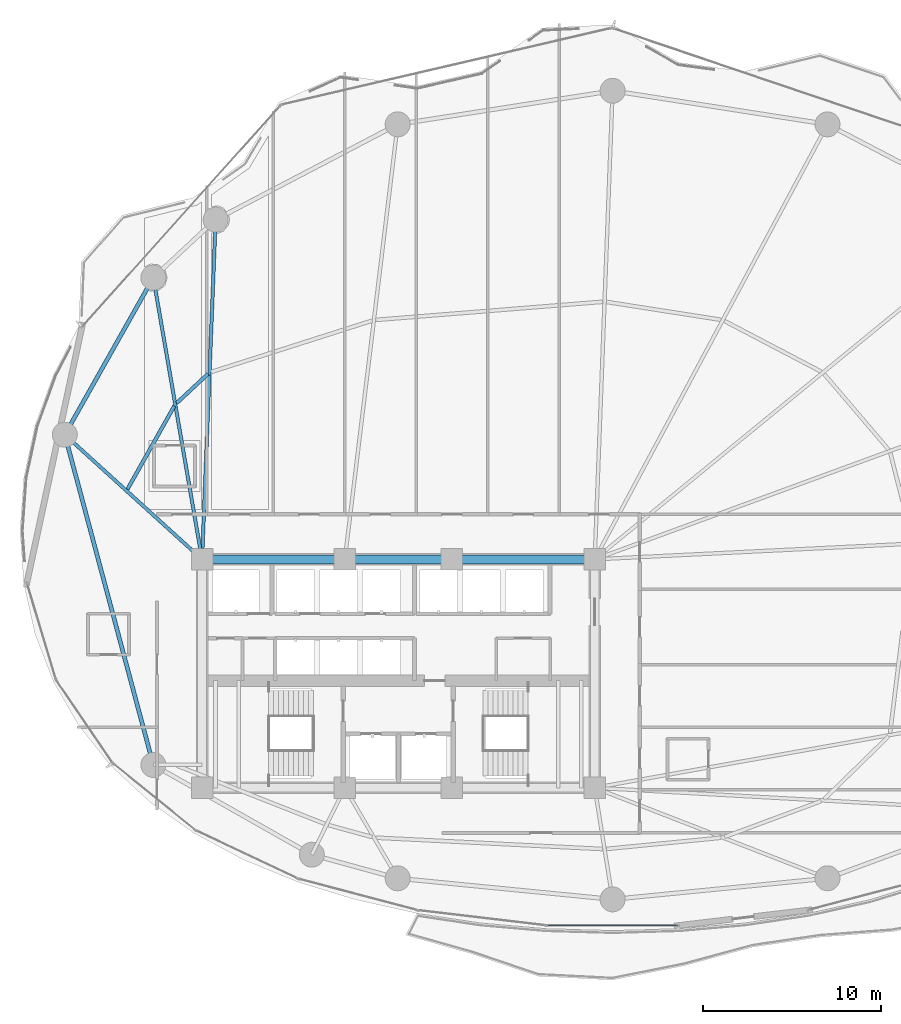
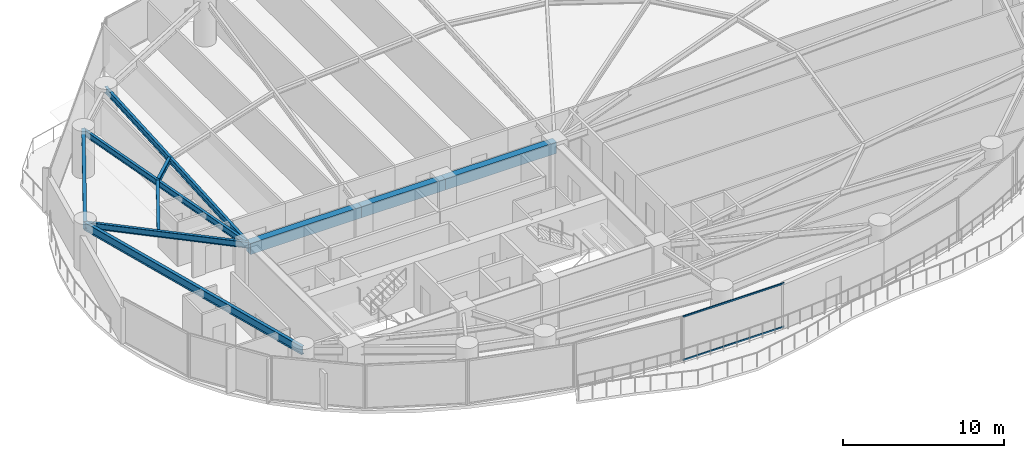
# One storey, part 9 of 31: 10 beams, 2 members, 1 element without a shape of its own.
"""IFC4 building model written with IfcOpenShell, lengths in metres."""

from ifc_helpers import new_model, si_unit, direction, frame, origin, origin_2d, place, context, subcontext, project, spatial, rectangle, hollow_rectangle, i_section, extrude, material, layer, layer_set, material_profile, profile_set, type_object, element, aggregate, save


model = new_model("IFC4")

# Units and contexts
model_context = context("Model", 3, precision=1e-05, world=origin(), true_north=direction((0.0, 1.0)))
body_context = subcontext(model_context, "Body", "Model", "MODEL_VIEW")
ifc_project = project(units=[si_unit("LENGTHUNIT", "METRE"), si_unit("AREAUNIT", "SQUARE_METRE"), si_unit("VOLUMEUNIT", "CUBIC_METRE"), si_unit("PLANEANGLEUNIT", "RADIAN"), si_unit("MASSUNIT", "GRAM", prefix="KILO")], contexts=[model_context])

# Site, building, storey
site_placement = place(None, origin())
site = spatial("IfcSite", under=ifc_project, at=site_placement, CompositionType="ELEMENT")
building_placement = place(site_placement, origin())
building = spatial("IfcBuilding", under=site, at=building_placement, Name="Kazevale Care Tower and Concert Hall", CompositionType="ELEMENT")
storey_placement = place(building_placement, frame((0.0, 0.0, 81.60009765625)))
storey = spatial("IfcBuildingStorey", under=building, at=storey_placement, Name="L21", CompositionType="ELEMENT", Elevation=81.60009765625)

# Curtain wall, members
ifc_material_1 = material(Name="Aluminium 6063-T6 and Low-E Glass", Category="aluminium")
ifc_layer = layer(ifc_material_1, 0.179931640625)
ifc_layer_set = layer_set([ifc_layer], Name="Aluminium 6063-T6 and Low-E Glass")
curtain_wall_type = type_object("IfcCurtainWallType", Name="Sheltered Concave Balcony Curtain Wall CW-5", PredefinedType="NOTDEFINED", material=ifc_layer_set)
curtain_wall_placement = place(storey_placement, origin())
curtain_wall = element("IfcCurtainWall", 1, at=curtain_wall_placement, inside=storey, type_object=curtain_wall_type, Name="cw:L21:f06", PredefinedType="NOTDEFINED")
ifc_material_2 = material(Name="Aluminium 6063-T6", Category="aluminium")
ifc_material_profile_1 = material_profile(ifc_material_2, hollow_rectangle(XDim=0.074951171875, YDim=0.1201171875, WallThickness=0.00390625, at=origin_2d()), Name="ALU75x120x4")
ifc_profile_set_1 = profile_set([ifc_material_profile_1], Name="Aluminium 6063-T6")
member_type = type_object("IfcMemberType", Name="CW-5 Transom ALU75x120x4", PredefinedType="USERDEFINED", material=ifc_profile_set_1)
member_1_placement = place(storey_placement, frame((48.632080078125, 15.885986328125, 0.037353515625), z_axis=(-1.0, 0.0, 0.0), x_axis=(0.0, -1.0, 0.0)))
member_1 = element("IfcMember", 2, at=member_1_placement, type_object=member_type, Name="CW-5 transom 1.1", ObjectType="TRANSOM", PredefinedType="USERDEFINED", context=body_context, shape_type="SweptSolid", body=[
    extrude(hollow_rectangle(XDim=0.074951171875, YDim=0.1201171875, WallThickness=0.00390625, at=origin_2d()), origin(), (0.0, 0.0, 1.0), 7.26416015625),
])
member_2_placement = place(storey_placement, frame((48.632080078125, 15.885986328125, 3.322509765625), z_axis=(-1.0, 0.0, 0.0), x_axis=(0.0, -1.0, 0.0)))
member_2 = element("IfcMember", 3, at=member_2_placement, type_object=member_type, Name="CW-5 transom 1.2", ObjectType="TRANSOM", PredefinedType="USERDEFINED", context=body_context, shape_type="SweptSolid", body=[
    extrude(hollow_rectangle(XDim=0.074951171875, YDim=0.1201171875, WallThickness=0.00390625, at=origin_2d()), origin(), (0.0, 0.0, 1.0), 7.26416015625),
])
aggregate(curtain_wall, [member_1, member_2])

# Beams
ifc_material_3 = material(Name="Concrete C60", Category="concrete")
ifc_material_profile_2 = material_profile(ifc_material_3, rectangle(XDim=0.5, YDim=0.85009765625, at=origin_2d()), Name="RC-B500x850")
ifc_profile_set_2 = profile_set([ifc_material_profile_2], Name="Concrete C60")
beam_type_1 = type_object("IfcBeamType", Name="Core Coupling Beam RC500x850", PredefinedType="LINTEL", material=ifc_profile_set_2)
beam_1_placement = place(storey_placement, frame((44.0, 36.39990234375, 2.934814453125), z_axis=(-1.0, 0.0, 0.0), x_axis=(0.0, -1.0, 0.0)))
element("IfcBeam", 4, at=beam_1_placement, inside=storey, type_object=beam_type_1, Name="beam:L21:coretie:5", PredefinedType="LINTEL", context=body_context, shape_type="SweptSolid", body=[
    extrude(rectangle(XDim=0.5, YDim=0.85009765625, at=origin_2d()), origin(), (0.0, 0.0, 1.0), 8.0),
])
beam_2_placement = place(storey_placement, frame((36.0, 36.39990234375, 2.934814453125), z_axis=(-1.0, 0.0, 0.0), x_axis=(0.0, -1.0, 0.0)))
element("IfcBeam", 5, at=beam_2_placement, inside=storey, type_object=beam_type_1, Name="beam:L21:coretie:6", PredefinedType="LINTEL", context=body_context, shape_type="SweptSolid", body=[
    extrude(rectangle(XDim=0.5, YDim=0.85009765625, at=origin_2d()), origin(), (0.0, 0.0, 1.0), 6.0),
])
beam_3_placement = place(storey_placement, frame((30.0, 36.39990234375, 2.934814453125), z_axis=(-1.0, 0.0, 0.0), x_axis=(0.0, -1.0, 0.0)))
element("IfcBeam", 6, at=beam_3_placement, inside=storey, type_object=beam_type_1, Name="beam:L21:coretie:7", PredefinedType="LINTEL", context=body_context, shape_type="SweptSolid", body=[
    extrude(rectangle(XDim=0.5, YDim=0.85009765625, at=origin_2d()), origin(), (0.0, 0.0, 1.0), 8.0),
])
ifc_material_4 = material(Name="Steel ASTM A572 Gr 50", Category="steel")
ifc_material_profile_3 = material_profile(ifc_material_4, i_section(OverallWidth=0.19091796875, OverallDepth=0.4599609375, WebThickness=0.010009765625, FlangeThickness=0.01611328125, at=origin_2d()), Name="W460x82")
ifc_profile_set_3 = profile_set([ifc_material_profile_3], Name="Steel ASTM A572 Gr 50")
beam_type_2 = type_object("IfcBeamType", Name="Radial Floor Beam W460x82", PredefinedType="BEAM", material=ifc_profile_set_3)
beam_4_placement = place(storey_placement, frame((22.0, 36.39990234375, 3.1298828125), z_axis=(0.039905581428, 0.999203455044, 0.0), x_axis=(-0.999203455044, 0.039905581428, 0.0)))
element("IfcBeam", 7, at=beam_4_placement, inside=storey, type_object=beam_type_2, Name="beam:L21:rad:07", PredefinedType="BEAM", context=body_context, shape_type="SweptSolid", body=[
    extrude(i_section(OverallWidth=0.19091796875, OverallDepth=0.4599609375, WebThickness=0.010009765625, FlangeThickness=0.01611328125, at=origin_2d()), origin(), (0.0, 0.0, 1.0), 19.045166015625),
])
beam_5_placement = place(storey_placement, frame((22.0, 36.39990234375, 3.1298828125), z_axis=(-0.170469986865, 0.985362868987, 0.0), x_axis=(-0.985362868987, -0.170469986865, 0.0)))
element("IfcBeam", 8, at=beam_5_placement, inside=storey, type_object=beam_type_2, Name="beam:L21:rad:08", PredefinedType="BEAM", context=body_context, shape_type="SweptSolid", body=[
    extrude(i_section(OverallWidth=0.19091796875, OverallDepth=0.4599609375, WebThickness=0.010009765625, FlangeThickness=0.01611328125, at=origin_2d()), origin(), (0.0, 0.0, 1.0), 16.014404296875),
])
beam_6_placement = place(storey_placement, frame((22.0, 36.39990234375, 3.1298828125), z_axis=(-0.740461073653, 0.672099247436, 0.0), x_axis=(-0.672099247436, -0.740461073653, 0.0)))
element("IfcBeam", 9, at=beam_6_placement, inside=storey, type_object=beam_type_2, Name="beam:L21:rad:09", PredefinedType="BEAM", context=body_context, shape_type="SweptSolid", body=[
    extrude(i_section(OverallWidth=0.19091796875, OverallDepth=0.4599609375, WebThickness=0.010009765625, FlangeThickness=0.01611328125, at=origin_2d()), origin(), (0.0, 0.0, 1.0), 10.38525390625),
])
ifc_material_profile_4 = material_profile(ifc_material_4, i_section(OverallWidth=0.22900390625, OverallDepth=0.612060546875, WebThickness=0.011962890625, FlangeThickness=0.01953125, at=origin_2d()), Name="W610x125")
ifc_profile_set_4 = profile_set([ifc_material_profile_4], Name="Steel ASTM A572 Gr 50")
beam_type_3 = type_object("IfcBeamType", Name="Ring Spandrel Beam W610x125", PredefinedType="SPANDREL", material=ifc_profile_set_4)
beam_7_placement = place(storey_placement, frame((19.27001953125, 52.179931640625, 3.053955078125), z_axis=(-0.491008061092, -0.87115502865, 0.0), x_axis=(0.87115502865, -0.491008061092, 0.0)))
element("IfcBeam", 10, at=beam_7_placement, inside=storey, type_object=beam_type_3, Name="beam:L21:ring:08", PredefinedType="SPANDREL", context=body_context, shape_type="SweptSolid", body=[
    extrude(i_section(OverallWidth=0.22900390625, OverallDepth=0.612060546875, WebThickness=0.011962890625, FlangeThickness=0.01953125, at=origin_2d()), origin(), (0.0, 0.0, 1.0), 10.1015625),
])
beam_8_placement = place(storey_placement, frame((14.31005859375, 43.3798828125, 3.053955078125), z_axis=(0.258960352031, -0.965887952133, 0.0), x_axis=(0.965887952133, 0.258960352031, 0.0)))
element("IfcBeam", 11, at=beam_8_placement, inside=storey, type_object=beam_type_3, Name="beam:L21:ring:09", PredefinedType="SPANDREL", context=body_context, shape_type="SweptSolid", body=[
    extrude(i_section(OverallWidth=0.22900390625, OverallDepth=0.612060546875, WebThickness=0.011962890625, FlangeThickness=0.01953125, at=origin_2d()), origin(), (0.0, 0.0, 1.0), 19.1533203125),
])
ifc_material_profile_5 = material_profile(ifc_material_4, i_section(OverallWidth=0.205078125, OverallDepth=0.35400390625, WebThickness=0.009521484375, FlangeThickness=0.016845703125, at=origin_2d()), Name="W360x79")
ifc_profile_set_5 = profile_set([ifc_material_profile_5], Name="Steel ASTM A572 Gr 50")
beam_type_4 = type_object("IfcBeamType", Name="Secondary Floor Joist W360x79", PredefinedType="JOIST", material=ifc_profile_set_5)
beam_9_placement = place(storey_placement, frame((22.341064453125, 46.794921875, 3.182861328125), z_axis=(-0.73194965424, -0.68135871878, 0.0), x_axis=(0.68135871878, -0.73194965424, 0.0)))
element("IfcBeam", 12, at=beam_9_placement, inside=storey, type_object=beam_type_4, Name="beam:L21:joist:07", PredefinedType="JOIST", context=body_context, shape_type="SweptSolid", body=[
    extrude(i_section(OverallWidth=0.205078125, OverallDepth=0.35400390625, WebThickness=0.009521484375, FlangeThickness=0.016845703125, at=origin_2d()), origin(), (0.0, 0.0, 1.0), 2.412841796875),
])
beam_10_placement = place(storey_placement, frame((20.447021484375, 44.988037109375, 3.182861328125), z_axis=(-0.490956987312, -0.871183813331, 0.0), x_axis=(0.871183813331, -0.490956987312, 0.0)))
element("IfcBeam", 13, at=beam_10_placement, inside=storey, type_object=beam_type_4, Name="beam:L21:joist:08", PredefinedType="JOIST", context=body_context, shape_type="SweptSolid", body=[
    extrude(i_section(OverallWidth=0.205078125, OverallDepth=0.35400390625, WebThickness=0.009521484375, FlangeThickness=0.016845703125, at=origin_2d()), origin(), (0.0, 0.0, 1.0), 5.3466796875),
])

save(model, "model.ifc")
